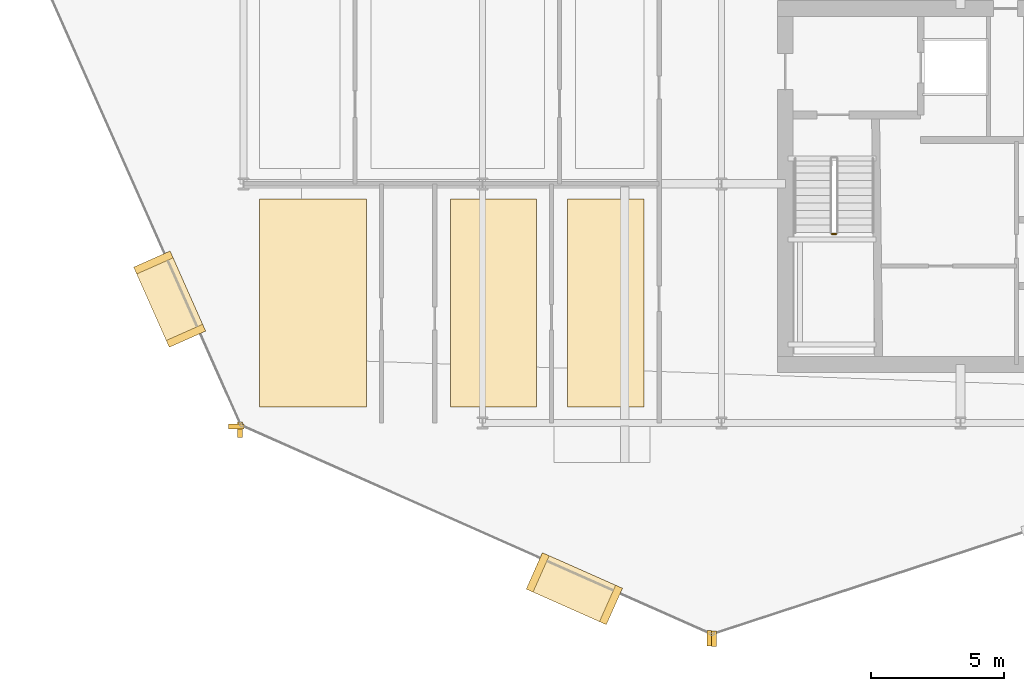
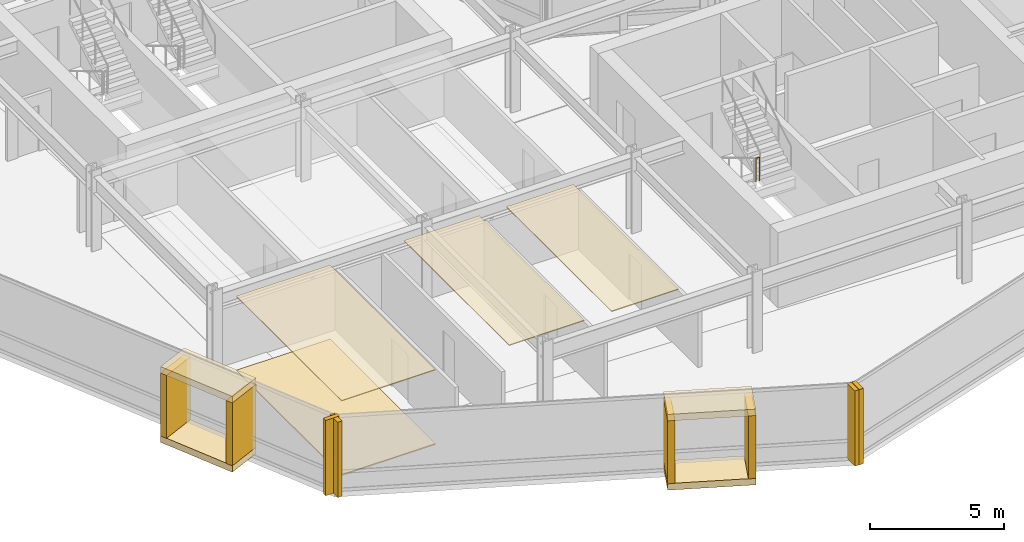
# One storey, part 25 of 29: 16 coverings, 1 railing.
"""IFC4 building model written with IfcOpenShell, lengths in metres."""

from ifc_helpers import new_model, si_unit, direction, frame, origin, origin_2d, place, context, subcontext, project, spatial, polyline, rectangle, circle, outline, extrude, material, layer, layer_set, type_object, element, save


model = new_model("IFC4")

# Units and contexts
model_context = context("Model", 3, precision=1e-05, world=origin(), true_north=direction((0.0, 1.0)))
body_context = subcontext(model_context, "Body", "Model", "MODEL_VIEW")
ifc_project = project(units=[si_unit("LENGTHUNIT", "METRE"), si_unit("AREAUNIT", "SQUARE_METRE"), si_unit("VOLUMEUNIT", "CUBIC_METRE"), si_unit("PLANEANGLEUNIT", "RADIAN"), si_unit("MASSUNIT", "GRAM", prefix="KILO")], contexts=[model_context])

# Site, building, storey
site_placement = place(None, origin())
site = spatial("IfcSite", under=ifc_project, at=site_placement, CompositionType="ELEMENT")
building_placement = place(site_placement, origin())
building = spatial("IfcBuilding", under=site, at=building_placement, Name="Solvaryn Broadcast Tower", CompositionType="ELEMENT")
storey_placement = place(building_placement, frame((0.0, 0.0, 117.39990234375)))
storey = spatial("IfcBuildingStorey", under=building, at=storey_placement, Name="L28", CompositionType="ELEMENT", Elevation=117.39990234375)

# Coverings
ifc_material_1 = material(Name="Micro-Perforated Acoustic Gypsum Ceiling", Category="concrete")
ifc_layer_1 = layer(ifc_material_1, 0.0400390625)
ifc_layer_set_1 = layer_set([ifc_layer_1], Name="CV-CEIL-ACOUSTIC")
covering_type_1 = type_object("IfcCoveringType", Name="CV-CEIL-ACOUSTIC", PredefinedType="CEILING", material=ifc_layer_set_1)
covering_1_placement = place(storey_placement, frame((0.0, 0.0, 3.380126953125)))
element("IfcCovering", 1, at=covering_1_placement, inside=storey, type_object=covering_type_1, Name="L28 Room Acoustic Ceiling 4", PredefinedType="CEILING", context=body_context, shape_type="SweptSolid", body=[
    extrude(outline(polyline([(9.60009765625, 9.60009765625), (13.6298828125, 9.60009765625), (13.6298828125, 17.429931640625), (9.60009765625, 17.429931640625), (9.60009765625, 9.60009765625)])), origin(), (0.0, 0.0, 1.0), 0.0400390625),
])
covering_2_placement = place(storey_placement, frame((0.0, 0.0, 3.380126953125)))
element("IfcCovering", 2, at=covering_2_placement, inside=storey, type_object=covering_type_1, Name="L28 Room Acoustic Ceiling 5", PredefinedType="CEILING", context=body_context, shape_type="SweptSolid", body=[
    extrude(outline(polyline([(16.800048828125, 9.60009765625), (20.030029296875, 9.60009765625), (20.030029296875, 17.429931640625), (16.800048828125, 17.429931640625), (16.800048828125, 9.60009765625)])), origin(), (0.0, 0.0, 1.0), 0.0400390625),
])
covering_3_placement = place(storey_placement, frame((0.0, 0.0, 3.380126953125)))
element("IfcCovering", 3, at=covering_3_placement, inside=storey, type_object=covering_type_1, Name="L28 Room Acoustic Ceiling 6", PredefinedType="CEILING", context=body_context, shape_type="SweptSolid", body=[
    extrude(outline(polyline([(21.199951171875, 9.60009765625), (24.080078125, 9.60009765625), (24.080078125, 17.429931640625), (21.199951171875, 17.429931640625), (21.199951171875, 9.60009765625)])), origin(), (0.0, 0.0, 1.0), 0.0400390625),
])
ifc_material_2 = material(Name="Newsroom Raised Data Access Flooring", Category="steel")
ifc_layer_2 = layer(ifc_material_2, 0.050048828125)
ifc_layer_set_2 = layer_set([ifc_layer_2], Name="CV-FLOOR-RAISED")
covering_type_2 = type_object("IfcCoveringType", Name="CV-FLOOR-RAISED", PredefinedType="FLOORING", material=ifc_layer_set_2)
covering_4_placement = place(storey_placement, origin())
element("IfcCovering", 4, at=covering_4_placement, inside=storey, type_object=covering_type_2, Name="L28 Room Acoustic Floor Finish 4", PredefinedType="FLOORING", context=body_context, shape_type="SweptSolid", body=[
    extrude(outline(polyline([(9.60009765625, 9.60009765625), (13.6298828125, 9.60009765625), (13.6298828125, 17.429931640625), (9.60009765625, 17.429931640625), (9.60009765625, 9.60009765625)])), origin(), (0.0, 0.0, 1.0), 0.050048828125),
])
ifc_material_3 = material(Name="Glazed Architectural Terracotta Rainscreen Cladding", Category="masonry")
ifc_layer_3 = layer(ifc_material_3, 0.280029296875)
ifc_layer_set_3 = layer_set([ifc_layer_3], Name="CV-TC-CLAD")
covering_type_3 = type_object("IfcCoveringType", Name="CV-TC-CLAD", PredefinedType="CLADDING", material=ifc_layer_set_3)
for number, where, z_axis, x_axis, name in (
    (5, (6.218994140625, 13.656982421875, 3.1298828125), (0.0, 0.0, 1.0), (0.405939269498, -0.913900054426, 0.0), "L28 Projecting Stone Window Box Hood 2"),
    (6, (6.218994140625, 13.656982421875, -0.009765625), (0.0, 0.0, 1.0), (0.405939269498, -0.913900054426, 0.0), "L28 Projecting Stone Window Box Sill 2"),
):
    element("IfcCovering", number, at=place(storey_placement, frame(where, z_axis=z_axis, x_axis=x_axis)), inside=storey, type_object=covering_type_3, Name=name, PredefinedType="CLADDING", context=body_context, shape_type="SweptSolid", body=[
        extrude(rectangle(XDim=3.300048828125, YDim=1.5, at=origin_2d()), origin(), (0.0, 0.0, 1.0), 0.300048828125),
    ])
for number, where, z_axis, x_axis, name in (
    (7, (5.60595703125, 15.037109375, 0.2802734375), (0.0, 0.0, 1.0), (0.405939269498, -0.913900054426, 0.0), "L28 Projecting Stone Window Box Cheek 2-1"),
    (8, (6.83203125, 12.277099609375, 0.2802734375), (0.0, 0.0, 1.0), (0.405939269498, -0.913900054426, 0.0), "L28 Projecting Stone Window Box Cheek 2-2"),
):
    element("IfcCovering", number, at=place(storey_placement, frame(where, z_axis=z_axis, x_axis=x_axis)), inside=storey, type_object=covering_type_3, Name=name, PredefinedType="CLADDING", context=body_context, shape_type="SweptSolid", body=[
        extrude(rectangle(XDim=0.280029296875, YDim=1.5, at=origin_2d()), origin(), (0.0, 0.0, 1.0), 2.860107421875),
    ])
for number, where, z_axis, x_axis, name in (
    (9, (21.45703125, 2.75390625, 3.1298828125), (0.0, 0.0, 1.0), (0.913900054426, -0.405939269498, 0.0), "L28 Projecting Stone Window Box Hood 3"),
    (10, (21.45703125, 2.75390625, -0.009765625), (0.0, 0.0, 1.0), (0.913900054426, -0.405939269498, 0.0), "L28 Projecting Stone Window Box Sill 3"),
):
    element("IfcCovering", number, at=place(storey_placement, frame(where, z_axis=z_axis, x_axis=x_axis)), inside=storey, type_object=covering_type_3, Name=name, PredefinedType="CLADDING", context=body_context, shape_type="SweptSolid", body=[
        extrude(rectangle(XDim=3.300048828125, YDim=1.5, at=origin_2d()), origin(), (0.0, 0.0, 1.0), 0.300048828125),
    ])
for number, where, z_axis, x_axis, name in (
    (11, (20.076904296875, 3.366943359375, 0.2802734375), (0.0, 0.0, 1.0), (0.913900054426, -0.405939269498, 0.0), "L28 Projecting Stone Window Box Cheek 3-1"),
    (12, (22.8369140625, 2.14111328125, 0.2802734375), (0.0, 0.0, 1.0), (0.913900054426, -0.405939269498, 0.0), "L28 Projecting Stone Window Box Cheek 3-2"),
):
    element("IfcCovering", number, at=place(storey_placement, frame(where, z_axis=z_axis, x_axis=x_axis)), inside=storey, type_object=covering_type_3, Name=name, PredefinedType="CLADDING", context=body_context, shape_type="SweptSolid", body=[
        extrude(rectangle(XDim=0.280029296875, YDim=1.5, at=origin_2d()), origin(), (0.0, 0.0, 1.0), 2.860107421875),
    ])
ifc_material_4 = material(Name="Extruded Architectural Terracotta Fin", Category="masonry")
ifc_layer_4 = layer(ifc_material_4, 0.179931640625)
ifc_layer_set_4 = layer_set([ifc_layer_4], Name="CV-TC-FIN")
covering_type_4 = type_object("IfcCoveringType", Name="CV-TC-FIN", PredefinedType="USERDEFINED", material=ifc_layer_set_4)
covering_5_placement = place(storey_placement, frame((8.731689453125, 8.86279296875, 0.000244140625), z_axis=(0.0, 0.0, 1.0), x_axis=(1.0, 0.0, 0.0)))
element("IfcCovering", 13, at=covering_5_placement, inside=storey, type_object=covering_type_4, Name="L28 Terracotta Vertical Fin FIN-L28-DR2-M01", ObjectType="FIN", PredefinedType="USERDEFINED", context=body_context, shape_type="SweptSolid", body=[
    extrude(rectangle(XDim=0.580078125, YDim=0.179931640625, at=origin_2d()), origin(), (0.0, 0.0, 1.0), 3.419921875),
])
for number, where, z_axis, x_axis, name in (
    (14, (8.86279296875, 8.731689453125, 0.000244140625), (0.0, 0.0, 1.0), (1.0, 0.0, 0.0), "L28 Terracotta Vertical Fin FIN-L28-DR3-M00"),
    (15, (26.535888671875, 0.8818359375, 0.000244140625), (0.0, 0.0, 1.0), (1.0, 0.0, 0.0), "L28 Terracotta Vertical Fin FIN-L28-DR3-M01"),
    (16, (26.720703125, 0.872314453125, 0.000244140625), (0.0, 0.0, 1.0), (1.0, 0.0, 0.0), "L28 Terracotta Vertical Fin FIN-L28-DR4-M00"),
):
    element("IfcCovering", number, at=place(storey_placement, frame(where, z_axis=z_axis, x_axis=x_axis)), inside=storey, type_object=covering_type_4, Name=name, ObjectType="FIN", PredefinedType="USERDEFINED", context=body_context, shape_type="SweptSolid", body=[
        extrude(rectangle(XDim=0.179931640625, YDim=0.580078125, at=origin_2d()), origin(), (0.0, 0.0, 1.0), 3.419921875),
    ])

# Railing
ifc_material_5 = material(Name="Painted Steel Stair Well Guard", Category="steel")
railing_type = type_object("IfcRailingType", Name="RL-STAIR-GUARD", PredefinedType="BALUSTRADE", material=ifc_material_5)
railing_placement = place(storey_placement, frame((31.159912109375, 16.110107421875, 1.85009765625)))
element("IfcRailing", 17, at=railing_placement, inside=storey, type_object=railing_type, Name="L28 ST3 stair guard 2", PredefinedType="BALUSTRADE", context=body_context, shape_type="SweptSolid", body=[
    extrude(circle(Radius=0.02392578125, at=origin_2d()), frame((0.0, 0.0, 1.076171875), z_axis=(1.0, 0.0, 0.0), x_axis=(0.0, 1.0, 0.0)), (0.0, 0.0, 1.0), 0.150146484375),
    extrude(circle(Radius=0.02099609375, at=origin_2d()), origin(), (0.0, 0.0, 1.0), 1.052001953125),
    extrude(circle(Radius=0.02099609375, at=origin_2d()), frame((0.150146484375, 0.0, 0.0)), (0.0, 0.0, 1.0), 1.052001953125),
])

save(model, "model.ifc")
